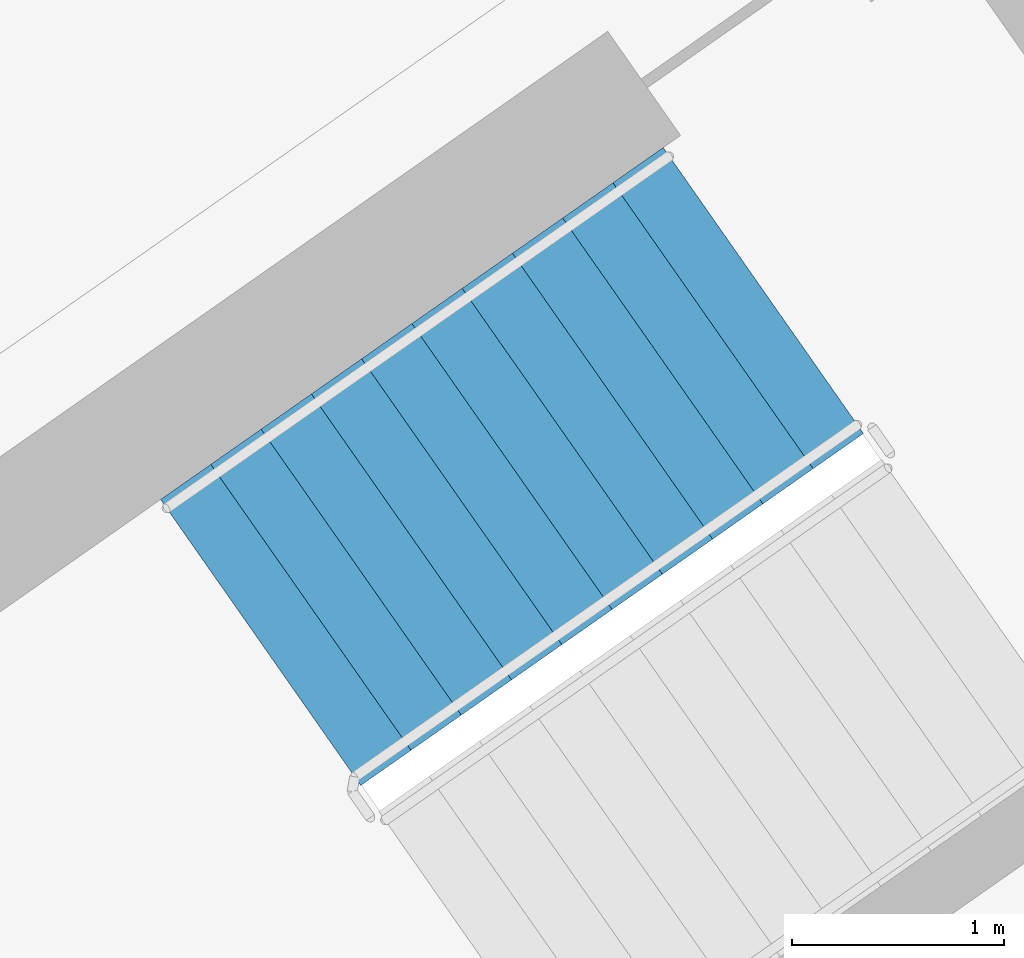
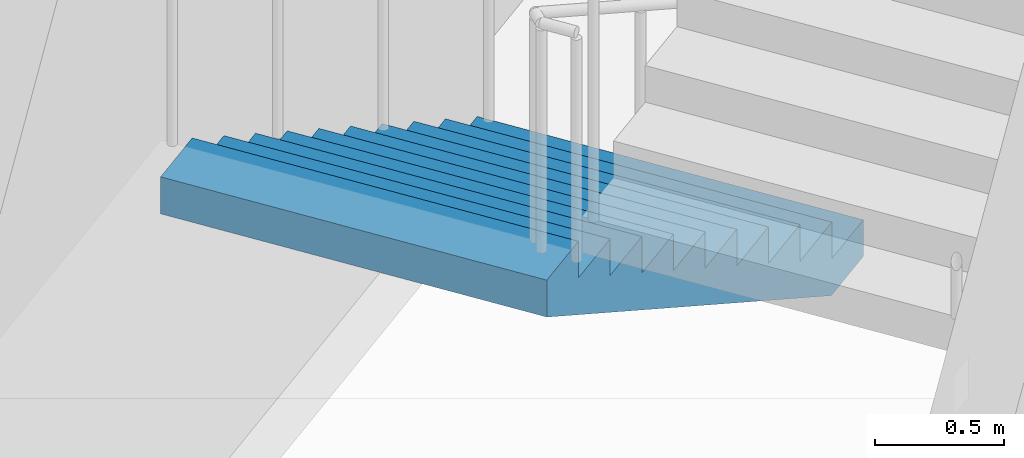
# One storey, part 16 of 27: 1 stair flight, 1 element without a shape of its own.
"""IFC4 building model written with IfcOpenShell, lengths in metres."""

from ifc_helpers import new_model, si_unit, direction, frame, origin, place, context, subcontext, project, spatial, faceted_brep, material, type_object, element, aggregate, save


model = new_model("IFC4")

# Units and contexts
model_context = context("Model", 3, precision=1e-05, world=origin(), true_north=direction((0.0, 1.0)))
body_context = subcontext(model_context, "Body", "Model", "MODEL_VIEW")
ifc_project = project(units=[si_unit("LENGTHUNIT", "METRE"), si_unit("AREAUNIT", "SQUARE_METRE"), si_unit("VOLUMEUNIT", "CUBIC_METRE"), si_unit("PLANEANGLEUNIT", "RADIAN"), si_unit("MASSUNIT", "GRAM", prefix="KILO")], contexts=[model_context])

# Site, building, storey
site_placement = place(None, origin())
site = spatial("IfcSite", under=ifc_project, at=site_placement, CompositionType="ELEMENT")
building_placement = place(site_placement, origin())
building = spatial("IfcBuilding", under=site, at=building_placement, Name="Qamariyya Broadcast Tower", CompositionType="ELEMENT")
storey_placement = place(building_placement, frame((0.0, 0.0, 191.10009765625)))
storey = spatial("IfcBuildingStorey", under=building, at=storey_placement, Name="L45", CompositionType="ELEMENT", Elevation=191.10009765625)

# Stair, stair flight
ifc_material = material(Name="Concrete C50/60", Category="concrete")
stair_type = type_object("IfcStairType", Name="Exit stair 22 risers of 173 mm", PredefinedType="HALF_TURN_STAIR", material=ifc_material)
stair_placement = place(storey_placement, origin())
stair = element("IfcStair", 1, at=stair_placement, inside=storey, type_object=stair_type, Name="L45 Stair E2", PredefinedType="HALF_TURN_STAIR")
stair_flight_type = type_object("IfcStairFlightType", Name="Exit stair flight 11 risers of 173 mm", PredefinedType="STRAIGHT", material=ifc_material)
stair_flight_placement = place(storey_placement, frame((40.558837890625, -47.685302734375, 0.0), z_axis=(0.0, 0.0, 1.0), x_axis=(-0.819152044289, -0.573576436351, 0.0)))
stair_flight = element("IfcStairFlight", 2, at=stair_flight_placement, type_object=stair_flight_type, Name="ST-E2 flight 1", NumberOfRisers=11, NumberOfTreads=10, PredefinedType="STRAIGHT", RiserHeight=0.172727273, TreadLength=0.29, context=body_context, shape_type="Brep", body=[
    faceted_brep([(0.0, 0.824951171875, 0.0), (0.0, 0.824951171875, 0.172607421875), (0.2900390625, 0.824951171875, 0.172607421875), (0.2900390625, 0.824951171875, 0.345458984375), (0.580078125, 0.824951171875, 0.345458984375), (0.580078125, 0.824951171875, 0.51806640625), (0.8701171875, 0.824951171875, 0.51806640625), (0.8701171875, 0.824951171875, 0.69091796875), (1.159912109375, 0.824951171875, 0.69091796875), (1.159912109375, 0.824951171875, 0.863525390625), (1.449951171875, 0.824951171875, 0.863525390625), (1.449951171875, 0.824951171875, 1.036376953125), (1.739990234375, 0.824951171875, 1.036376953125), (1.739990234375, 0.824951171875, 1.208984375), (2.030029296875, 0.824951171875, 1.208984375), (2.030029296875, 0.824951171875, 1.3818359375), (2.320068359375, 0.824951171875, 1.3818359375), (2.320068359375, 0.824951171875, 1.554443359375), (2.610107421875, 0.824951171875, 1.554443359375), (2.610107421875, 0.824951171875, 1.727294921875), (2.89990234375, 0.824951171875, 1.727294921875), (2.89990234375, 0.824951171875, 1.552734375), (0.29296875, 0.824951171875, 0.0), (0.29296875, -0.824951171875, 0.0), (2.89990234375, -0.824951171875, 1.552734375), (2.89990234375, -0.824951171875, 1.727294921875), (2.610107421875, -0.824951171875, 1.727294921875), (2.610107421875, -0.824951171875, 1.554443359375), (2.320068359375, -0.824951171875, 1.554443359375), (2.320068359375, -0.824951171875, 1.3818359375), (2.030029296875, -0.824951171875, 1.3818359375), (2.030029296875, -0.824951171875, 1.208984375), (1.739990234375, -0.824951171875, 1.208984375), (1.739990234375, -0.824951171875, 1.036376953125), (1.449951171875, -0.824951171875, 1.036376953125), (1.449951171875, -0.824951171875, 0.863525390625), (1.159912109375, -0.824951171875, 0.863525390625), (1.159912109375, -0.824951171875, 0.69091796875), (0.8701171875, -0.824951171875, 0.69091796875), (0.8701171875, -0.824951171875, 0.51806640625), (0.580078125, -0.824951171875, 0.51806640625), (0.580078125, -0.824951171875, 0.345458984375), (0.2900390625, -0.824951171875, 0.345458984375), (0.2900390625, -0.824951171875, 0.172607421875), (0.0, -0.824951171875, 0.172607421875), (0.0, -0.824951171875, 0.0), (0.0, 0.10009765625, 0.0), (0.0, 0.086669921875, 0.0), (0.0, 0.0732421875, 0.0), (0.0, 0.06005859375, 0.0), (0.0, 0.046630859375, 0.0), (0.0, 0.033447265625, 0.0), (0.0, 0.02001953125, 0.0), (0.0, 0.006591796875, 0.0), (0.0, -0.006591796875, 0.0), (0.0, -0.02001953125, 0.0), (0.0, -0.033447265625, 0.0), (0.0, -0.046630859375, 0.0), (0.0, -0.06005859375, 0.0), (0.0, -0.0732421875, 0.0), (0.0, -0.086669921875, 0.0), (0.0, -0.10009765625, 0.0), (0.0, -0.10009765625, 0.172607421875), (0.0, -0.086669921875, 0.172607421875), (0.0, -0.0732421875, 0.172607421875), (0.0, -0.06005859375, 0.172607421875), (0.0, -0.046630859375, 0.172607421875), (0.0, -0.033447265625, 0.172607421875), (0.0, -0.02001953125, 0.172607421875), (0.0, -0.006591796875, 0.172607421875), (0.0, 0.006591796875, 0.172607421875), (0.0, 0.02001953125, 0.172607421875), (0.0, 0.033447265625, 0.172607421875), (0.0, 0.046630859375, 0.172607421875), (0.0, 0.06005859375, 0.172607421875), (0.0, 0.0732421875, 0.172607421875), (0.0, 0.086669921875, 0.172607421875), (0.0, 0.10009765625, 0.172607421875), (0.2900390625, -0.10009765625, 0.172607421875), (0.2900390625, -0.086669921875, 0.172607421875), (0.2900390625, -0.0732421875, 0.172607421875), (0.2900390625, -0.06005859375, 0.172607421875), (0.2900390625, -0.046630859375, 0.172607421875), (0.2900390625, -0.033447265625, 0.172607421875), (0.2900390625, -0.02001953125, 0.172607421875), (0.2900390625, -0.006591796875, 0.172607421875), (0.2900390625, 0.006591796875, 0.172607421875), (0.2900390625, 0.02001953125, 0.172607421875), (0.2900390625, 0.033447265625, 0.172607421875), (0.2900390625, 0.046630859375, 0.172607421875), (0.2900390625, 0.06005859375, 0.172607421875), (0.2900390625, 0.0732421875, 0.172607421875), (0.2900390625, 0.086669921875, 0.172607421875), (0.2900390625, 0.10009765625, 0.172607421875), (0.2900390625, -0.10009765625, 0.345458984375), (0.2900390625, -0.086669921875, 0.345458984375), (0.2900390625, -0.0732421875, 0.345458984375), (0.2900390625, -0.06005859375, 0.345458984375), (0.2900390625, -0.046630859375, 0.345458984375), (0.2900390625, -0.033447265625, 0.345458984375), (0.2900390625, -0.02001953125, 0.345458984375), (0.2900390625, -0.006591796875, 0.345458984375), (0.2900390625, 0.006591796875, 0.345458984375), (0.2900390625, 0.02001953125, 0.345458984375), (0.2900390625, 0.033447265625, 0.345458984375), (0.2900390625, 0.046630859375, 0.345458984375), (0.2900390625, 0.06005859375, 0.345458984375), (0.2900390625, 0.0732421875, 0.345458984375), (0.2900390625, 0.086669921875, 0.345458984375), (0.2900390625, 0.10009765625, 0.345458984375), (0.580078125, -0.10009765625, 0.345458984375), (0.580078125, -0.086669921875, 0.345458984375), (0.580078125, -0.0732421875, 0.345458984375), (0.580078125, -0.06005859375, 0.345458984375), (0.580078125, -0.046630859375, 0.345458984375), (0.580078125, -0.033447265625, 0.345458984375), (0.580078125, -0.02001953125, 0.345458984375), (0.580078125, -0.006591796875, 0.345458984375), (0.580078125, 0.006591796875, 0.345458984375), (0.580078125, 0.02001953125, 0.345458984375), (0.580078125, 0.033447265625, 0.345458984375), (0.580078125, 0.046630859375, 0.345458984375), (0.580078125, 0.06005859375, 0.345458984375), (0.580078125, 0.0732421875, 0.345458984375), (0.580078125, 0.086669921875, 0.345458984375), (0.580078125, 0.10009765625, 0.345458984375), (0.580078125, -0.10009765625, 0.51806640625), (0.580078125, -0.086669921875, 0.51806640625), (0.580078125, -0.0732421875, 0.51806640625), (0.580078125, -0.06005859375, 0.51806640625), (0.580078125, -0.046630859375, 0.51806640625), (0.580078125, -0.033447265625, 0.51806640625), (0.580078125, -0.02001953125, 0.51806640625), (0.580078125, -0.006591796875, 0.51806640625), (0.580078125, 0.006591796875, 0.51806640625), (0.580078125, 0.02001953125, 0.51806640625), (0.580078125, 0.033447265625, 0.51806640625), (0.580078125, 0.046630859375, 0.51806640625), (0.580078125, 0.06005859375, 0.51806640625), (0.580078125, 0.0732421875, 0.51806640625), (0.580078125, 0.086669921875, 0.51806640625), (0.580078125, 0.10009765625, 0.51806640625), (0.8701171875, -0.10009765625, 0.51806640625), (0.8701171875, -0.086669921875, 0.51806640625), (0.8701171875, -0.0732421875, 0.51806640625), (0.8701171875, -0.06005859375, 0.51806640625), (0.8701171875, -0.046630859375, 0.51806640625), (0.8701171875, -0.033447265625, 0.51806640625), (0.8701171875, -0.02001953125, 0.51806640625), (0.8701171875, -0.006591796875, 0.51806640625), (0.8701171875, 0.006591796875, 0.51806640625), (0.8701171875, 0.02001953125, 0.51806640625), (0.8701171875, 0.033447265625, 0.51806640625), (0.8701171875, 0.046630859375, 0.51806640625), (0.8701171875, 0.06005859375, 0.51806640625), (0.8701171875, 0.0732421875, 0.51806640625), (0.8701171875, 0.086669921875, 0.51806640625), (0.8701171875, 0.10009765625, 0.51806640625), (0.8701171875, -0.10009765625, 0.69091796875), (0.8701171875, -0.086669921875, 0.69091796875), (0.8701171875, -0.0732421875, 0.69091796875), (0.8701171875, -0.06005859375, 0.69091796875), (0.8701171875, -0.046630859375, 0.69091796875), (0.8701171875, -0.033447265625, 0.69091796875), (0.8701171875, -0.02001953125, 0.69091796875), (0.8701171875, -0.006591796875, 0.69091796875), (0.8701171875, 0.006591796875, 0.69091796875), (0.8701171875, 0.02001953125, 0.69091796875), (0.8701171875, 0.033447265625, 0.69091796875), (0.8701171875, 0.046630859375, 0.69091796875), (0.8701171875, 0.06005859375, 0.69091796875), (0.8701171875, 0.0732421875, 0.69091796875), (0.8701171875, 0.086669921875, 0.69091796875), (0.8701171875, 0.10009765625, 0.69091796875), (1.159912109375, -0.10009765625, 0.69091796875), (1.159912109375, -0.086669921875, 0.69091796875), (1.159912109375, -0.0732421875, 0.69091796875), (1.159912109375, -0.06005859375, 0.69091796875), (1.159912109375, -0.046630859375, 0.69091796875), (1.159912109375, -0.033447265625, 0.69091796875), (1.159912109375, -0.02001953125, 0.69091796875), (1.159912109375, -0.006591796875, 0.69091796875), (1.159912109375, 0.006591796875, 0.69091796875), (1.159912109375, 0.02001953125, 0.69091796875), (1.159912109375, 0.033447265625, 0.69091796875), (1.159912109375, 0.046630859375, 0.69091796875), (1.159912109375, 0.06005859375, 0.69091796875), (1.159912109375, 0.0732421875, 0.69091796875), (1.159912109375, 0.086669921875, 0.69091796875), (1.159912109375, 0.10009765625, 0.69091796875), (1.159912109375, -0.10009765625, 0.863525390625), (1.159912109375, -0.086669921875, 0.863525390625), (1.159912109375, -0.0732421875, 0.863525390625), (1.159912109375, -0.06005859375, 0.863525390625), (1.159912109375, -0.046630859375, 0.863525390625), (1.159912109375, -0.033447265625, 0.863525390625), (1.159912109375, -0.02001953125, 0.863525390625), (1.159912109375, -0.006591796875, 0.863525390625), (1.159912109375, 0.006591796875, 0.863525390625), (1.159912109375, 0.02001953125, 0.863525390625), (1.159912109375, 0.033447265625, 0.863525390625), (1.159912109375, 0.046630859375, 0.863525390625), (1.159912109375, 0.06005859375, 0.863525390625), (1.159912109375, 0.0732421875, 0.863525390625), (1.159912109375, 0.086669921875, 0.863525390625), (1.159912109375, 0.10009765625, 0.863525390625), (1.449951171875, -0.10009765625, 0.863525390625), (1.449951171875, -0.086669921875, 0.863525390625), (1.449951171875, -0.0732421875, 0.863525390625), (1.449951171875, -0.06005859375, 0.863525390625), (1.449951171875, -0.046630859375, 0.863525390625), (1.449951171875, -0.033447265625, 0.863525390625), (1.449951171875, -0.02001953125, 0.863525390625), (1.449951171875, -0.006591796875, 0.863525390625), (1.449951171875, 0.006591796875, 0.863525390625), (1.449951171875, 0.02001953125, 0.863525390625), (1.449951171875, 0.033447265625, 0.863525390625), (1.449951171875, 0.046630859375, 0.863525390625), (1.449951171875, 0.06005859375, 0.863525390625), (1.449951171875, 0.0732421875, 0.863525390625), (1.449951171875, 0.086669921875, 0.863525390625), (1.449951171875, 0.10009765625, 0.863525390625), (1.449951171875, -0.10009765625, 1.036376953125), (1.449951171875, -0.086669921875, 1.036376953125), (1.449951171875, -0.0732421875, 1.036376953125), (1.449951171875, -0.06005859375, 1.036376953125), (1.449951171875, -0.046630859375, 1.036376953125), (1.449951171875, -0.033447265625, 1.036376953125), (1.449951171875, -0.02001953125, 1.036376953125), (1.449951171875, -0.006591796875, 1.036376953125), (1.449951171875, 0.006591796875, 1.036376953125), (1.449951171875, 0.02001953125, 1.036376953125), (1.449951171875, 0.033447265625, 1.036376953125), (1.449951171875, 0.046630859375, 1.036376953125), (1.449951171875, 0.06005859375, 1.036376953125), (1.449951171875, 0.0732421875, 1.036376953125), (1.449951171875, 0.086669921875, 1.036376953125), (1.449951171875, 0.10009765625, 1.036376953125), (1.739990234375, -0.10009765625, 1.036376953125), (1.739990234375, -0.086669921875, 1.036376953125), (1.739990234375, -0.0732421875, 1.036376953125), (1.739990234375, -0.06005859375, 1.036376953125), (1.739990234375, -0.046630859375, 1.036376953125), (1.739990234375, -0.033447265625, 1.036376953125), (1.739990234375, -0.02001953125, 1.036376953125), (1.739990234375, -0.006591796875, 1.036376953125), (1.739990234375, 0.006591796875, 1.036376953125), (1.739990234375, 0.02001953125, 1.036376953125), (1.739990234375, 0.033447265625, 1.036376953125), (1.739990234375, 0.046630859375, 1.036376953125), (1.739990234375, 0.06005859375, 1.036376953125), (1.739990234375, 0.0732421875, 1.036376953125), (1.739990234375, 0.086669921875, 1.036376953125), (1.739990234375, 0.10009765625, 1.036376953125), (1.739990234375, -0.10009765625, 1.208984375), (1.739990234375, -0.086669921875, 1.208984375), (1.739990234375, -0.0732421875, 1.208984375), (1.739990234375, -0.06005859375, 1.208984375), (1.739990234375, -0.046630859375, 1.208984375), (1.739990234375, -0.033447265625, 1.208984375), (1.739990234375, -0.02001953125, 1.208984375), (1.739990234375, -0.006591796875, 1.208984375), (1.739990234375, 0.006591796875, 1.208984375), (1.739990234375, 0.02001953125, 1.208984375), (1.739990234375, 0.033447265625, 1.208984375), (1.739990234375, 0.046630859375, 1.208984375), (1.739990234375, 0.06005859375, 1.208984375), (1.739990234375, 0.0732421875, 1.208984375), (1.739990234375, 0.086669921875, 1.208984375), (1.739990234375, 0.10009765625, 1.208984375), (2.030029296875, -0.10009765625, 1.208984375), (2.030029296875, -0.086669921875, 1.208984375), (2.030029296875, -0.0732421875, 1.208984375), (2.030029296875, -0.06005859375, 1.208984375), (2.030029296875, -0.046630859375, 1.208984375), (2.030029296875, -0.033447265625, 1.208984375), (2.030029296875, -0.02001953125, 1.208984375), (2.030029296875, -0.006591796875, 1.208984375), (2.030029296875, 0.006591796875, 1.208984375), (2.030029296875, 0.02001953125, 1.208984375), (2.030029296875, 0.033447265625, 1.208984375), (2.030029296875, 0.046630859375, 1.208984375), (2.030029296875, 0.06005859375, 1.208984375), (2.030029296875, 0.0732421875, 1.208984375), (2.030029296875, 0.086669921875, 1.208984375), (2.030029296875, 0.10009765625, 1.208984375), (2.030029296875, -0.10009765625, 1.3818359375), (2.030029296875, -0.086669921875, 1.3818359375), (2.030029296875, -0.0732421875, 1.3818359375), (2.030029296875, -0.06005859375, 1.3818359375), (2.030029296875, -0.046630859375, 1.3818359375), (2.030029296875, -0.033447265625, 1.3818359375), (2.030029296875, -0.02001953125, 1.3818359375), (2.030029296875, -0.006591796875, 1.3818359375), (2.030029296875, 0.006591796875, 1.3818359375), (2.030029296875, 0.02001953125, 1.3818359375), (2.030029296875, 0.033447265625, 1.3818359375), (2.030029296875, 0.046630859375, 1.3818359375), (2.030029296875, 0.06005859375, 1.3818359375), (2.030029296875, 0.0732421875, 1.3818359375), (2.030029296875, 0.086669921875, 1.3818359375), (2.030029296875, 0.10009765625, 1.3818359375), (2.320068359375, -0.10009765625, 1.3818359375), (2.320068359375, -0.086669921875, 1.3818359375), (2.320068359375, -0.0732421875, 1.3818359375), (2.320068359375, -0.06005859375, 1.3818359375), (2.320068359375, -0.046630859375, 1.3818359375), (2.320068359375, -0.033447265625, 1.3818359375), (2.320068359375, -0.02001953125, 1.3818359375), (2.320068359375, -0.006591796875, 1.3818359375), (2.320068359375, 0.006591796875, 1.3818359375), (2.320068359375, 0.02001953125, 1.3818359375), (2.320068359375, 0.033447265625, 1.3818359375), (2.320068359375, 0.046630859375, 1.3818359375), (2.320068359375, 0.06005859375, 1.3818359375), (2.320068359375, 0.0732421875, 1.3818359375), (2.320068359375, 0.086669921875, 1.3818359375), (2.320068359375, 0.10009765625, 1.3818359375), (2.320068359375, -0.10009765625, 1.554443359375), (2.320068359375, -0.086669921875, 1.554443359375), (2.320068359375, -0.0732421875, 1.554443359375), (2.320068359375, -0.06005859375, 1.554443359375), (2.320068359375, -0.046630859375, 1.554443359375), (2.320068359375, -0.033447265625, 1.554443359375), (2.320068359375, -0.02001953125, 1.554443359375), (2.320068359375, -0.006591796875, 1.554443359375), (2.320068359375, 0.006591796875, 1.554443359375), (2.320068359375, 0.02001953125, 1.554443359375), (2.320068359375, 0.033447265625, 1.554443359375), (2.320068359375, 0.046630859375, 1.554443359375), (2.320068359375, 0.06005859375, 1.554443359375), (2.320068359375, 0.0732421875, 1.554443359375), (2.320068359375, 0.086669921875, 1.554443359375), (2.320068359375, 0.10009765625, 1.554443359375), (2.610107421875, -0.10009765625, 1.554443359375), (2.610107421875, -0.086669921875, 1.554443359375), (2.610107421875, -0.0732421875, 1.554443359375), (2.610107421875, -0.06005859375, 1.554443359375), (2.610107421875, -0.046630859375, 1.554443359375), (2.610107421875, -0.033447265625, 1.554443359375), (2.610107421875, -0.02001953125, 1.554443359375), (2.610107421875, -0.006591796875, 1.554443359375), (2.610107421875, 0.006591796875, 1.554443359375), (2.610107421875, 0.02001953125, 1.554443359375), (2.610107421875, 0.033447265625, 1.554443359375), (2.610107421875, 0.046630859375, 1.554443359375), (2.610107421875, 0.06005859375, 1.554443359375), (2.610107421875, 0.0732421875, 1.554443359375), (2.610107421875, 0.086669921875, 1.554443359375), (2.610107421875, 0.10009765625, 1.554443359375), (2.610107421875, -0.10009765625, 1.727294921875), (2.610107421875, -0.086669921875, 1.727294921875), (2.610107421875, -0.0732421875, 1.727294921875), (2.610107421875, -0.06005859375, 1.727294921875), (2.610107421875, -0.046630859375, 1.727294921875), (2.610107421875, -0.033447265625, 1.727294921875), (2.610107421875, -0.02001953125, 1.727294921875), (2.610107421875, -0.006591796875, 1.727294921875), (2.610107421875, 0.006591796875, 1.727294921875), (2.610107421875, 0.02001953125, 1.727294921875), (2.610107421875, 0.033447265625, 1.727294921875), (2.610107421875, 0.046630859375, 1.727294921875), (2.610107421875, 0.06005859375, 1.727294921875), (2.610107421875, 0.0732421875, 1.727294921875), (2.610107421875, 0.086669921875, 1.727294921875), (2.610107421875, 0.10009765625, 1.727294921875), (2.89990234375, -0.10009765625, 1.727294921875), (2.89990234375, -0.086669921875, 1.727294921875), (2.89990234375, -0.0732421875, 1.727294921875), (2.89990234375, -0.06005859375, 1.727294921875), (2.89990234375, -0.046630859375, 1.727294921875), (2.89990234375, -0.033447265625, 1.727294921875), (2.89990234375, -0.02001953125, 1.727294921875), (2.89990234375, -0.006591796875, 1.727294921875), (2.89990234375, 0.006591796875, 1.727294921875), (2.89990234375, 0.02001953125, 1.727294921875), (2.89990234375, 0.033447265625, 1.727294921875), (2.89990234375, 0.046630859375, 1.727294921875), (2.89990234375, 0.06005859375, 1.727294921875), (2.89990234375, 0.0732421875, 1.727294921875), (2.89990234375, 0.086669921875, 1.727294921875), (2.89990234375, 0.10009765625, 1.727294921875), (2.89990234375, -0.10009765625, 1.552734375), (2.89990234375, -0.086669921875, 1.552734375), (2.89990234375, -0.0732421875, 1.552734375), (2.89990234375, -0.06005859375, 1.552734375), (2.89990234375, -0.046630859375, 1.552734375), (2.89990234375, -0.033447265625, 1.552734375), (2.89990234375, -0.02001953125, 1.552734375), (2.89990234375, -0.006591796875, 1.552734375), (2.89990234375, 0.006591796875, 1.552734375), (2.89990234375, 0.02001953125, 1.552734375), (2.89990234375, 0.033447265625, 1.552734375), (2.89990234375, 0.046630859375, 1.552734375), (2.89990234375, 0.06005859375, 1.552734375), (2.89990234375, 0.0732421875, 1.552734375), (2.89990234375, 0.086669921875, 1.552734375), (2.89990234375, 0.10009765625, 1.552734375), (0.29296875, -0.10009765625, 0.0), (0.29296875, -0.086669921875, 0.0), (0.29296875, -0.0732421875, 0.0), (0.29296875, -0.06005859375, 0.0), (0.29296875, -0.046630859375, 0.0), (0.29296875, -0.033447265625, 0.0), (0.29296875, -0.02001953125, 0.0), (0.29296875, -0.006591796875, 0.0), (0.29296875, 0.006591796875, 0.0), (0.29296875, 0.02001953125, 0.0), (0.29296875, 0.033447265625, 0.0), (0.29296875, 0.046630859375, 0.0), (0.29296875, 0.06005859375, 0.0), (0.29296875, 0.0732421875, 0.0), (0.29296875, 0.086669921875, 0.0), (0.29296875, 0.10009765625, 0.0)], [[[0, 1, 2, 3, 4, 5, 6, 7, 8, 9, 10, 11, 12, 13, 14, 15, 16, 17, 18, 19, 20, 21, 22]], [[23, 24, 25, 26, 27, 28, 29, 30, 31, 32, 33, 34, 35, 36, 37, 38, 39, 40, 41, 42, 43, 44, 45]], [[0, 46, 47, 48, 49, 50, 51, 52, 53, 54, 55, 56, 57, 58, 59, 60, 61, 45, 44, 62, 63, 64, 65, 66, 67, 68, 69, 70, 71, 72, 73, 74, 75, 76, 77, 1]], [[1, 77, 76, 75, 74, 73, 72, 71, 70, 69, 68, 67, 66, 65, 64, 63, 62, 44, 43, 78, 79, 80, 81, 82, 83, 84, 85, 86, 87, 88, 89, 90, 91, 92, 93, 2]], [[2, 93, 92, 91, 90, 89, 88, 87, 86, 85, 84, 83, 82, 81, 80, 79, 78, 43, 42, 94, 95, 96, 97, 98, 99, 100, 101, 102, 103, 104, 105, 106, 107, 108, 109, 3]], [[3, 109, 108, 107, 106, 105, 104, 103, 102, 101, 100, 99, 98, 97, 96, 95, 94, 42, 41, 110, 111, 112, 113, 114, 115, 116, 117, 118, 119, 120, 121, 122, 123, 124, 125, 4]], [[4, 125, 124, 123, 122, 121, 120, 119, 118, 117, 116, 115, 114, 113, 112, 111, 110, 41, 40, 126, 127, 128, 129, 130, 131, 132, 133, 134, 135, 136, 137, 138, 139, 140, 141, 5]], [[5, 141, 140, 139, 138, 137, 136, 135, 134, 133, 132, 131, 130, 129, 128, 127, 126, 40, 39, 142, 143, 144, 145, 146, 147, 148, 149, 150, 151, 152, 153, 154, 155, 156, 157, 6]], [[6, 157, 156, 155, 154, 153, 152, 151, 150, 149, 148, 147, 146, 145, 144, 143, 142, 39, 38, 158, 159, 160, 161, 162, 163, 164, 165, 166, 167, 168, 169, 170, 171, 172, 173, 7]], [[7, 173, 172, 171, 170, 169, 168, 167, 166, 165, 164, 163, 162, 161, 160, 159, 158, 38, 37, 174, 175, 176, 177, 178, 179, 180, 181, 182, 183, 184, 185, 186, 187, 188, 189, 8]], [[8, 189, 188, 187, 186, 185, 184, 183, 182, 181, 180, 179, 178, 177, 176, 175, 174, 37, 36, 190, 191, 192, 193, 194, 195, 196, 197, 198, 199, 200, 201, 202, 203, 204, 205, 9]], [[9, 205, 204, 203, 202, 201, 200, 199, 198, 197, 196, 195, 194, 193, 192, 191, 190, 36, 35, 206, 207, 208, 209, 210, 211, 212, 213, 214, 215, 216, 217, 218, 219, 220, 221, 10]], [[10, 221, 220, 219, 218, 217, 216, 215, 214, 213, 212, 211, 210, 209, 208, 207, 206, 35, 34, 222, 223, 224, 225, 226, 227, 228, 229, 230, 231, 232, 233, 234, 235, 236, 237, 11]], [[11, 237, 236, 235, 234, 233, 232, 231, 230, 229, 228, 227, 226, 225, 224, 223, 222, 34, 33, 238, 239, 240, 241, 242, 243, 244, 245, 246, 247, 248, 249, 250, 251, 252, 253, 12]], [[12, 253, 252, 251, 250, 249, 248, 247, 246, 245, 244, 243, 242, 241, 240, 239, 238, 33, 32, 254, 255, 256, 257, 258, 259, 260, 261, 262, 263, 264, 265, 266, 267, 268, 269, 13]], [[13, 269, 268, 267, 266, 265, 264, 263, 262, 261, 260, 259, 258, 257, 256, 255, 254, 32, 31, 270, 271, 272, 273, 274, 275, 276, 277, 278, 279, 280, 281, 282, 283, 284, 285, 14]], [[14, 285, 284, 283, 282, 281, 280, 279, 278, 277, 276, 275, 274, 273, 272, 271, 270, 31, 30, 286, 287, 288, 289, 290, 291, 292, 293, 294, 295, 296, 297, 298, 299, 300, 301, 15]], [[15, 301, 300, 299, 298, 297, 296, 295, 294, 293, 292, 291, 290, 289, 288, 287, 286, 30, 29, 302, 303, 304, 305, 306, 307, 308, 309, 310, 311, 312, 313, 314, 315, 316, 317, 16]], [[16, 317, 316, 315, 314, 313, 312, 311, 310, 309, 308, 307, 306, 305, 304, 303, 302, 29, 28, 318, 319, 320, 321, 322, 323, 324, 325, 326, 327, 328, 329, 330, 331, 332, 333, 17]], [[17, 333, 332, 331, 330, 329, 328, 327, 326, 325, 324, 323, 322, 321, 320, 319, 318, 28, 27, 334, 335, 336, 337, 338, 339, 340, 341, 342, 343, 344, 345, 346, 347, 348, 349, 18]], [[18, 349, 348, 347, 346, 345, 344, 343, 342, 341, 340, 339, 338, 337, 336, 335, 334, 27, 26, 350, 351, 352, 353, 354, 355, 356, 357, 358, 359, 360, 361, 362, 363, 364, 365, 19]], [[19, 365, 364, 363, 362, 361, 360, 359, 358, 357, 356, 355, 354, 353, 352, 351, 350, 26, 25, 366, 367, 368, 369, 370, 371, 372, 373, 374, 375, 376, 377, 378, 379, 380, 381, 20]], [[20, 381, 380, 379, 378, 377, 376, 375, 374, 373, 372, 371, 370, 369, 368, 367, 366, 25, 24, 382, 383, 384, 385, 386, 387, 388, 389, 390, 391, 392, 393, 394, 395, 396, 397, 21]], [[21, 397, 396, 395, 394, 393, 392, 391, 390, 389, 388, 387, 386, 385, 384, 383, 382, 24, 23, 398, 399, 400, 401, 402, 403, 404, 405, 406, 407, 408, 409, 410, 411, 412, 413, 22]], [[22, 413, 412, 411, 410, 409, 408, 407, 406, 405, 404, 403, 402, 401, 400, 399, 398, 23, 45, 61, 60, 59, 58, 57, 56, 55, 54, 53, 52, 51, 50, 49, 48, 47, 46, 0]]]),
])
aggregate(stair, [stair_flight])

save(model, "model.ifc")
